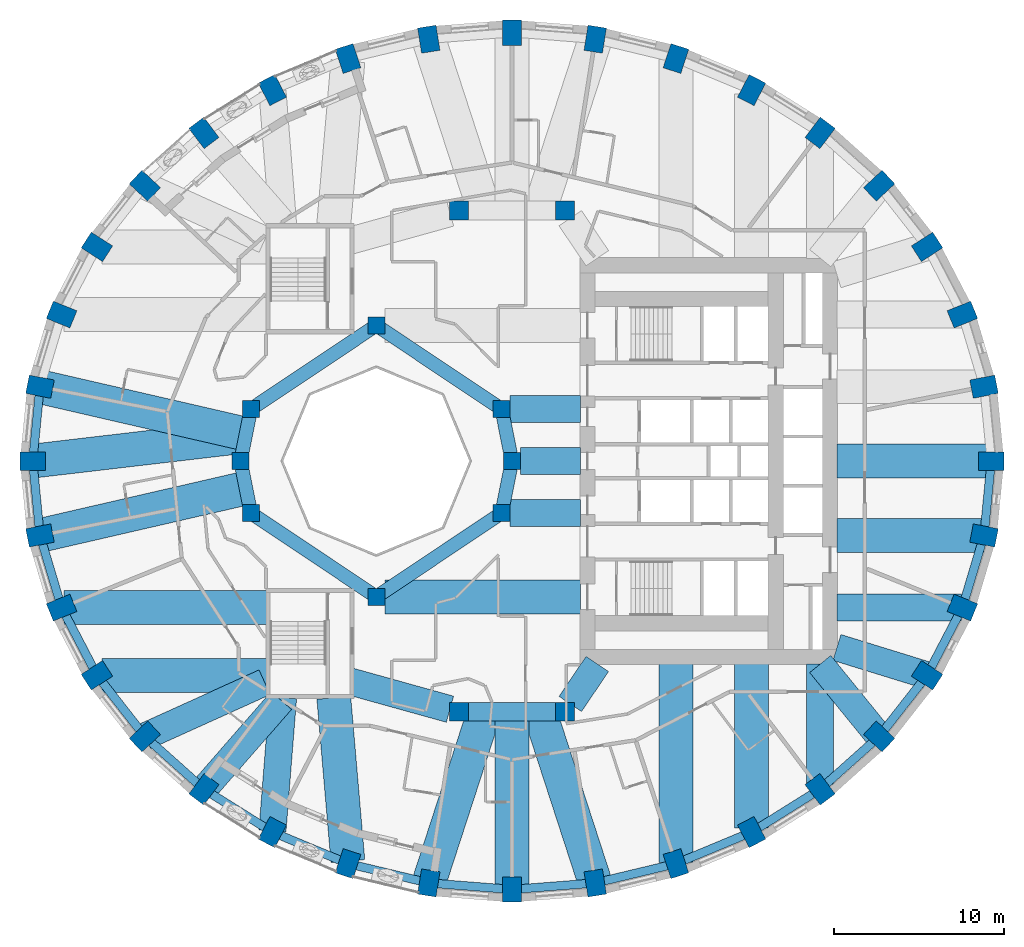
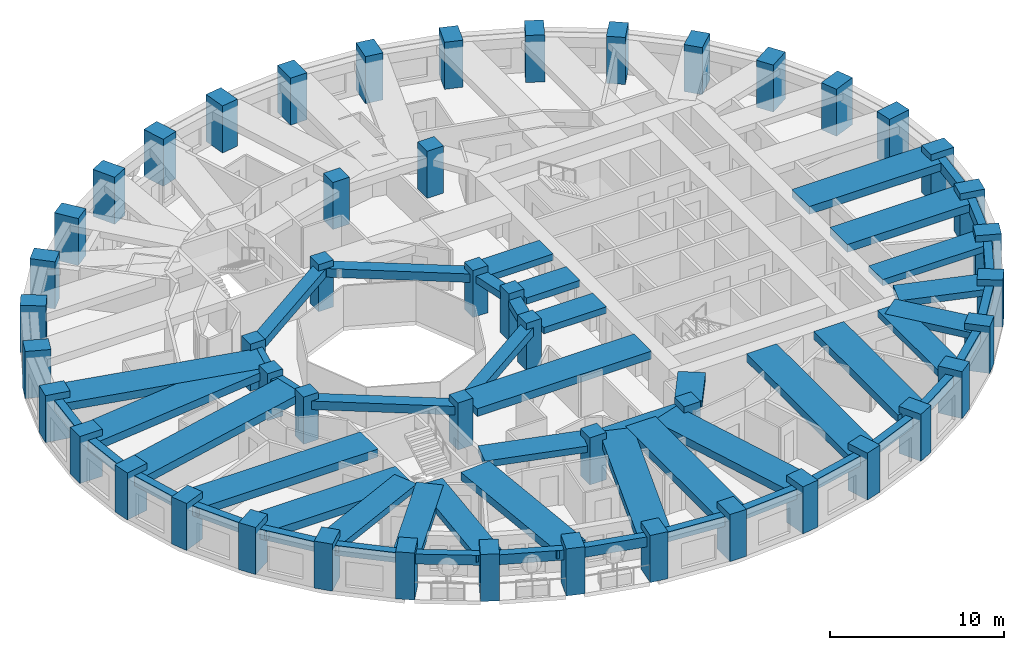
# One storey, part 1 of 13: 54 beams, 48 columns.
"""IFC4 building model written with IfcOpenShell, lengths in metres."""

from ifc_helpers import new_model, si_unit, direction, frame, origin, origin_2d, place, context, subcontext, project, spatial, rectangle, extrude, material, material_profile, profile_set, type_object, element, save


model = new_model("IFC4")

# Units and contexts
model_context = context("Model", 3, precision=1e-05, world=origin(), true_north=direction((0.0, 1.0)))
body_context = subcontext(model_context, "Body", "Model", "MODEL_VIEW")
ifc_project = project(units=[si_unit("LENGTHUNIT", "METRE"), si_unit("AREAUNIT", "SQUARE_METRE"), si_unit("VOLUMEUNIT", "CUBIC_METRE"), si_unit("PLANEANGLEUNIT", "RADIAN"), si_unit("MASSUNIT", "GRAM", prefix="KILO")], contexts=[model_context])

# Site, building, storey
site_placement = place(None, origin())
site = spatial("IfcSite", under=ifc_project, at=site_placement, CompositionType="ELEMENT")
building_placement = place(site_placement, origin())
building = spatial("IfcBuilding", under=site, at=building_placement, Name="Taillehof Tower", CompositionType="ELEMENT")
storey_placement = place(building_placement, frame((0.0, 0.0, 81.10009765625)))
storey = spatial("IfcBuildingStorey", under=building, at=storey_placement, Name="L22", CompositionType="ELEMENT", Elevation=81.10009765625)

# Columns
ifc_material_1 = material(Name="Concrete C50/60", Category="concrete")
ifc_material_profile_1 = material_profile(ifc_material_1, rectangle(XDim=1.0, YDim=1.0, at=origin_2d()), Name="RC 1000x1000")
ifc_profile_set_1 = profile_set([ifc_material_profile_1], Name="Concrete C50/60")
column_type_1 = type_object("IfcColumnType", Name="Atrium ring column C50/60 1000x1000", PredefinedType="COLUMN", material=ifc_profile_set_1)
for number, where, z_axis, x_axis, name in (
    (1, (0.0, 0.0, 0.0), (0.0, 0.0, 1.0), (1.0, 0.0, 0.0), "Column AC01"),
    (2, (-0.60888671875, 3.0615234375, 0.0), (0.0, 0.0, 1.0), (1.0, 0.0, 0.0), "Column AC02"),
    (3, (-8.0, 8.0, 0.0), (0.0, 0.0, 1.0), (1.0, 0.0, 0.0), "Column AC05"),
    (4, (-15.39111328125, 3.0615234375, 0.0), (0.0, 0.0, 1.0), (1.0, 0.0, 0.0), "Column AC08"),
    (5, (-16.0, 0.0, 0.0), (0.0, 0.0, 1.0), (1.0, 0.0, 0.0), "Column AC09"),
    (6, (-15.39111328125, -3.0615234375, 0.0), (0.0, 0.0, 1.0), (1.0, 0.0, 0.0), "Column AC10"),
    (7, (-8.0, -8.0, 0.0), (0.0, 0.0, 1.0), (1.0, 0.0, 0.0), "Column AC13"),
    (8, (-0.60888671875, -3.0615234375, 0.0), (0.0, 0.0, 1.0), (1.0, 0.0, 0.0), "Column AC16"),
):
    element("IfcColumn", number, at=place(storey_placement, frame(where, z_axis=z_axis, x_axis=x_axis)), inside=storey, type_object=column_type_1, Name=name, PredefinedType="COLUMN", context=body_context, shape_type="SweptSolid", body=[
        extrude(rectangle(XDim=1.0, YDim=1.0, at=origin_2d()), origin(), (0.0, 0.0, 1.0), 3.2998046875),
    ])
ifc_material_2 = material(Name="Concrete C50/60", Category="concrete")
ifc_material_profile_2 = material_profile(ifc_material_2, rectangle(XDim=1.10009765625, YDim=1.10009765625, at=origin_2d()), Name="RC 1100x1100")
ifc_profile_set_2 = profile_set([ifc_material_profile_2], Name="Concrete C50/60")
column_type_2 = type_object("IfcColumnType", Name="Mid-ring column C50/60 1100x1100", PredefinedType="COLUMN", material=ifc_profile_set_2)
for number, where, z_axis, x_axis, name in (
    (9, (3.125732421875, 14.772216796875, 0.0), (0.0, 0.0, 1.0), (1.0, 0.0, 0.0), "Column MC05"),
    (10, (3.125732421875, -14.772216796875, 0.0), (0.0, 0.0, 1.0), (1.0, 0.0, 0.0), "Column MC15"),
):
    element("IfcColumn", number, at=place(storey_placement, frame(where, z_axis=z_axis, x_axis=x_axis)), inside=storey, type_object=column_type_2, Name=name, PredefinedType="COLUMN", context=body_context, shape_type="SweptSolid", body=[
        extrude(rectangle(XDim=1.10009765625, YDim=1.10009765625, at=origin_2d()), origin(), (0.0, 0.0, 1.0), 3.2998046875),
    ])
ifc_material_3 = material(Name="Concrete C60/75", Category="concrete")
ifc_material_profile_3 = material_profile(ifc_material_3, rectangle(XDim=1.10009765625, YDim=1.10009765625, at=origin_2d()), Name="RC 1100x1100")
ifc_profile_set_3 = profile_set([ifc_material_profile_3], Name="Concrete C60/75")
column_type_3 = type_object("IfcColumnType", Name="Mid-ring column C60/75 1100x1100", PredefinedType="COLUMN", material=ifc_profile_set_3)
for number, where, z_axis, x_axis, name in (
    (11, (-3.125732421875, 14.772216796875, 0.0), (0.0, 0.0, 1.0), (1.0, 0.0, 0.0), "Column MC06"),
    (12, (-3.125732421875, -14.772216796875, 0.0), (0.0, 0.0, 1.0), (1.0, 0.0, 0.0), "Column MC14"),
):
    element("IfcColumn", number, at=place(storey_placement, frame(where, z_axis=z_axis, x_axis=x_axis)), inside=storey, type_object=column_type_3, Name=name, PredefinedType="COLUMN", context=body_context, shape_type="SweptSolid", body=[
        extrude(rectangle(XDim=1.10009765625, YDim=1.10009765625, at=origin_2d()), origin(), (0.0, 0.0, 1.0), 3.2998046875),
    ])
ifc_material_4 = material(Name="Concrete C70/85", Category="concrete")
ifc_material_profile_4 = material_profile(ifc_material_4, rectangle(XDim=1.5, YDim=1.10009765625, at=origin_2d()), Name="RC 1500x1100")
ifc_profile_set_4 = profile_set([ifc_material_profile_4], Name="Concrete C70/85")
column_type_4 = type_object("IfcColumnType", Name="Ring column C70/85 1500x1100", PredefinedType="COLUMN", material=ifc_profile_set_4)
for number, where, z_axis, x_axis, name in (
    (13, (28.25, 0.0, 0.0), (0.0, 0.0, 1.0), (1.0, 0.0, 0.0), "Ring column RC01"),
    (14, (27.82080078125, 4.384521484375, 0.0), (0.0, 0.0, 1.0), (0.98120354895, 0.192975634545, 0.0), "Ring column RC02"),
    (15, (26.54638671875, 8.635986328125, 0.0), (0.0, 0.0, 1.0), (0.926558045297, 0.37615181602, 0.0), "Ring column RC03"),
    (16, (24.46533203125, 12.625, 0.0), (0.0, 0.0, 1.0), (0.840753565229, 0.541417992456, 0.0), "Ring column RC04"),
    (17, (21.640869140625, 16.23046875, 0.0), (0.0, 0.0, 1.0), (0.730113022917, 0.683326403535, 0.0), "Ring column RC05"),
    (18, (18.15869140625, 19.342529296875, 0.0), (0.0, 0.0, 1.0), (0.601173783055, 0.79911831575, 0.0), "Ring column RC06"),
    (19, (14.125, 21.8671875, 0.0), (0.0, 0.0, 1.0), (0.459691308511, 0.888078769524, 0.0), "Ring column RC07"),
    (20, (9.662109375, 23.727294921875, 0.0), (0.0, 0.0, 1.0), (0.310219183529, 0.950665060981, 0.0), "Ring column RC08"),
    (21, (4.905517578125, 24.866455078125, 0.0), (0.0, 0.0, 1.0), (0.15614709407, 0.987733812833, 0.0), "Ring column RC09"),
    (22, (0.0, 25.25, 0.0), (0.0, 0.0, 1.0), (0.0, 1.0, 0.0), "Ring column RC10"),
    (23, (-4.905517578125, 24.866455078125, 0.0), (0.0, 0.0, 1.0), (-0.15614709407, 0.987733812833, 0.0), "Ring column RC11"),
    (24, (-9.662109375, 23.727294921875, 0.0), (0.0, 0.0, 1.0), (-0.310219183529, 0.950665060981, 0.0), "Ring column RC12"),
    (25, (-14.125, 21.8671875, 0.0), (0.0, 0.0, 1.0), (-0.459691308511, 0.888078769524, 0.0), "Ring column RC13"),
    (26, (-18.15869140625, 19.342529296875, 0.0), (0.0, 0.0, 1.0), (-0.601173783055, 0.79911831575, 0.0), "Ring column RC14"),
    (27, (-21.640869140625, 16.23046875, 0.0), (0.0, 0.0, 1.0), (-0.730113022917, 0.683326403535, 0.0), "Ring column RC15"),
    (28, (-24.46533203125, 12.625, 0.0), (0.0, 0.0, 1.0), (-0.840753565229, 0.541417992456, 0.0), "Ring column RC16"),
    (29, (-26.54638671875, 8.635986328125, 0.0), (0.0, 0.0, 1.0), (-0.926558045297, 0.37615181602, 0.0), "Ring column RC17"),
    (30, (-27.82080078125, 4.384521484375, 0.0), (0.0, 0.0, 1.0), (-0.98120354895, 0.192975634545, 0.0), "Ring column RC18"),
    (31, (-28.25, 0.0, 0.0), (0.0, 0.0, 1.0), (-1.0, 0.0, 0.0), "Ring column RC19"),
    (32, (-27.82080078125, -4.384521484375, 0.0), (0.0, 0.0, 1.0), (-0.98120354895, -0.192975634545, 0.0), "Ring column RC20"),
    (33, (-26.54638671875, -8.635986328125, 0.0), (0.0, 0.0, 1.0), (-0.926558045297, -0.37615181602, 0.0), "Ring column RC21"),
    (34, (-24.46533203125, -12.625, 0.0), (0.0, 0.0, 1.0), (-0.840753565229, -0.541417992456, 0.0), "Ring column RC22"),
    (35, (-21.640869140625, -16.23046875, 0.0), (0.0, 0.0, 1.0), (-0.730113022917, -0.683326403535, 0.0), "Ring column RC23"),
    (36, (-18.15869140625, -19.342529296875, 0.0), (0.0, 0.0, 1.0), (-0.601173783055, -0.79911831575, 0.0), "Ring column RC24"),
    (37, (-14.125, -21.8671875, 0.0), (0.0, 0.0, 1.0), (-0.459691308511, -0.888078769524, 0.0), "Ring column RC25"),
    (38, (-9.662109375, -23.727294921875, 0.0), (0.0, 0.0, 1.0), (-0.310219183529, -0.950665060981, 0.0), "Ring column RC26"),
    (39, (-4.905517578125, -24.866455078125, 0.0), (0.0, 0.0, 1.0), (-0.15614709407, -0.987733812833, 0.0), "Ring column RC27"),
    (40, (0.0, -25.25, 0.0), (0.0, 0.0, 1.0), (0.0, -1.0, 0.0), "Ring column RC28"),
    (41, (4.905517578125, -24.866455078125, 0.0), (0.0, 0.0, 1.0), (0.15614709407, -0.987733812833, 0.0), "Ring column RC29"),
    (42, (9.662109375, -23.727294921875, 0.0), (0.0, 0.0, 1.0), (0.310219183529, -0.950665060981, 0.0), "Ring column RC30"),
    (43, (14.125, -21.8671875, 0.0), (0.0, 0.0, 1.0), (0.459691308511, -0.888078769524, 0.0), "Ring column RC31"),
    (44, (18.15869140625, -19.342529296875, 0.0), (0.0, 0.0, 1.0), (0.601173783055, -0.79911831575, 0.0), "Ring column RC32"),
    (45, (21.640869140625, -16.23046875, 0.0), (0.0, 0.0, 1.0), (0.730113022917, -0.683326403535, 0.0), "Ring column RC33"),
    (46, (24.46533203125, -12.625, 0.0), (0.0, 0.0, 1.0), (0.840753565229, -0.541417992456, 0.0), "Ring column RC34"),
    (47, (26.54638671875, -8.635986328125, 0.0), (0.0, 0.0, 1.0), (0.926558045297, -0.37615181602, 0.0), "Ring column RC35"),
    (48, (27.82080078125, -4.384521484375, 0.0), (0.0, 0.0, 1.0), (0.98120354895, -0.192975634545, 0.0), "Ring column RC36"),
):
    element("IfcColumn", number, at=place(storey_placement, frame(where, z_axis=z_axis, x_axis=x_axis)), inside=storey, type_object=column_type_4, Name=name, PredefinedType="COLUMN", context=body_context, shape_type="SweptSolid", body=[
        extrude(rectangle(XDim=1.5, YDim=1.10009765625, at=origin_2d()), origin(), (0.0, 0.0, 1.0), 3.2998046875),
    ])

# Beams
ifc_material_5 = material(Name="Concrete C50/60", Category="concrete")
ifc_material_profile_5 = material_profile(ifc_material_5, rectangle(XDim=0.800048828125, YDim=0.5, at=origin_2d()), Name="RC 800x500")
ifc_profile_set_5 = profile_set([ifc_material_profile_5], Name="Concrete C50/60")
beam_type_1 = type_object("IfcBeamType", Name="Atrium ring beam C50/60 800x500", PredefinedType="BEAM", material=ifc_profile_set_5)
for number, where, z_axis, x_axis, name in (
    (49, (0.0, 0.0, 2.599853515625), (-0.195063155143, 0.980790683839, 0.0), (-0.980790683839, -0.195063155143, 0.0), "Atrium ring beam AB01"),
    (50, (-15.39111328125, 3.0615234375, 2.599853515625), (-0.195063155143, -0.980790683839, 0.0), (0.980790683839, -0.195063155143, 0.0), "Atrium ring beam AB04"),
    (51, (-16.0, 0.0, 2.599853515625), (0.195063155143, -0.980790683839, 0.0), (0.980790683839, 0.195063155143, 0.0), "Atrium ring beam AB05"),
    (52, (-0.60888671875, -3.0615234375, 2.599853515625), (0.195063155143, 0.980790683839, 0.0), (-0.980790683839, 0.195063155143, 0.0), "Atrium ring beam AB08"),
):
    element("IfcBeam", number, at=place(storey_placement, frame(where, z_axis=z_axis, x_axis=x_axis)), inside=storey, type_object=beam_type_1, Name=name, PredefinedType="BEAM", context=body_context, shape_type="SweptSolid", body=[
        extrude(rectangle(XDim=0.800048828125, YDim=0.5, at=origin_2d()), origin(), (0.0, 0.0, 1.0), 3.12158203125),
    ])
ifc_material_6 = material(Name="Concrete C50/60", Category="concrete")
ifc_material_profile_6 = material_profile(ifc_material_6, rectangle(XDim=0.800048828125, YDim=0.60009765625, at=origin_2d()), Name="RC 800x600")
ifc_profile_set_6 = profile_set([ifc_material_profile_6], Name="Concrete C50/60")
beam_type_2 = type_object("IfcBeamType", Name="Atrium ring beam C50/60 800x600", PredefinedType="BEAM", material=ifc_profile_set_6)
for number, where, z_axis, x_axis, name in (
    (53, (-0.60888671875, 3.0615234375, 2.5498046875), (-0.831475195687, 0.555561876804, 0.0), (-0.555561876804, -0.831475195687, 0.0), "Atrium ring beam AB02"),
    (54, (-8.0, 8.0, 2.5498046875), (-0.831475195687, -0.555561876804, 0.0), (0.555561876804, -0.831475195687, 0.0), "Atrium ring beam AB03"),
    (55, (-15.39111328125, -3.0615234375, 2.5498046875), (0.831475195687, -0.555561876804, 0.0), (0.555561876804, 0.831475195687, 0.0), "Atrium ring beam AB06"),
    (56, (-8.0, -8.0, 2.5498046875), (0.831475195687, 0.555561876804, 0.0), (-0.555561876804, 0.831475195687, 0.0), "Atrium ring beam AB07"),
):
    element("IfcBeam", number, at=place(storey_placement, frame(where, z_axis=z_axis, x_axis=x_axis)), inside=storey, type_object=beam_type_2, Name=name, PredefinedType="BEAM", context=body_context, shape_type="SweptSolid", body=[
        extrude(rectangle(XDim=0.800048828125, YDim=0.60009765625, at=origin_2d()), origin(), (0.0, 0.0, 1.0), 8.88916015625),
    ])
ifc_material_7 = material(Name="Concrete C50/60", Category="concrete")
ifc_material_profile_7 = material_profile(ifc_material_7, rectangle(XDim=1.10009765625, YDim=0.60009765625, at=origin_2d()), Name="RC 1100x600")
ifc_profile_set_7 = profile_set([ifc_material_profile_7], Name="Concrete C50/60")
beam_type_3 = type_object("IfcBeamType", Name="Mid-ring beam C50/60 1100x600", PredefinedType="BEAM", material=ifc_profile_set_7)
beam_1_placement = place(storey_placement, frame((-3.125732421875, -14.772216796875, 2.5498046875), z_axis=(1.0, 0.0, 0.0), x_axis=(0.0, 1.0, 0.0)))
element("IfcBeam", 57, at=beam_1_placement, inside=storey, type_object=beam_type_3, Name="Mid-ring beam MB02", PredefinedType="BEAM", context=body_context, shape_type="SweptSolid", body=[
    extrude(rectangle(XDim=1.10009765625, YDim=0.60009765625, at=origin_2d()), origin(), (0.0, 0.0, 1.0), 6.25146484375),
])
ifc_material_8 = material(Name="Concrete C50/60", Category="concrete")
ifc_material_profile_8 = material_profile(ifc_material_8, rectangle(XDim=1.60009765625, YDim=0.449951171875, at=origin_2d()), Name="RC 1600x450")
ifc_profile_set_8 = profile_set([ifc_material_profile_8], Name="Concrete C50/60")
beam_type_4 = type_object("IfcBeamType", Name="Radial band beam C50/60 1600x450", PredefinedType="BEAM", material=ifc_profile_set_8)
beam_2_placement = place(storey_placement, frame((-21.632568359375, -16.226806640625, 2.625), z_axis=(0.911100590789, 0.412184077161, 0.0), x_axis=(-0.412184077161, 0.911100590789, 0.0)))
element("IfcBeam", 58, at=beam_2_placement, inside=storey, type_object=beam_type_4, Name="Radial band beam RB23", PredefinedType="BEAM", context=body_context, shape_type="SweptSolid", body=[
    extrude(rectangle(XDim=1.60009765625, YDim=0.449951171875, at=origin_2d()), origin(), (0.0, 0.0, 1.0), 7.740966796875),
])
beam_3_placement = place(storey_placement, frame((-18.15869140625, -19.342529296875, 2.625), z_axis=(0.65721824087, 0.753700327628, 0.0), x_axis=(-0.753700327628, 0.65721824087, 0.0)))
element("IfcBeam", 59, at=beam_3_placement, inside=storey, type_object=beam_type_4, Name="Radial band beam RB24", PredefinedType="BEAM", context=body_context, shape_type="SweptSolid", body=[
    extrude(rectangle(XDim=1.60009765625, YDim=0.449951171875, at=origin_2d()), origin(), (0.0, 0.0, 1.0), 6.9384765625),
])
beam_4_placement = place(storey_placement, frame((-14.119873046875, -21.802978515625, 2.625), z_axis=(0.079184740988, 0.996859958467, 0.0), x_axis=(-0.996859958467, 0.079184740988, 0.0)))
element("IfcBeam", 60, at=beam_4_placement, inside=storey, type_object=beam_type_4, Name="Radial band beam RB25", PredefinedType="BEAM", context=body_context, shape_type="SweptSolid", body=[
    extrude(rectangle(XDim=1.60009765625, YDim=0.449951171875, at=origin_2d()), origin(), (0.0, 0.0, 1.0), 7.87744140625),
])
beam_5_placement = place(storey_placement, frame((18.15869140625, -19.05517578125, 2.625), z_axis=(0.0, 1.0, 0.0), x_axis=(-1.0, 0.0, 0.0)))
element("IfcBeam", 61, at=beam_5_placement, inside=storey, type_object=beam_type_4, Name="Radial band beam RB32", PredefinedType="BEAM", context=body_context, shape_type="SweptSolid", body=[
    extrude(rectangle(XDim=1.60009765625, YDim=0.449951171875, at=origin_2d()), origin(), (0.0, 0.0, 1.0), 7.105224609375),
])
beam_6_placement = place(storey_placement, frame((21.640869140625, -16.23046875, 2.625), z_axis=(-0.630988373846, 0.775792286679, 0.0), x_axis=(-0.775792286679, -0.630988373846, 0.0)))
element("IfcBeam", 62, at=beam_6_placement, inside=storey, type_object=beam_type_4, Name="Radial band beam RB33", PredefinedType="BEAM", context=body_context, shape_type="SweptSolid", body=[
    extrude(rectangle(XDim=1.60009765625, YDim=0.449951171875, at=origin_2d()), origin(), (0.0, 0.0, 1.0), 5.503173828125),
])
beam_7_placement = place(storey_placement, frame((24.46533203125, -12.625, 2.625), z_axis=(-0.955535654338, 0.294875589511, 0.0), x_axis=(-0.294875589511, -0.955535654338, 0.0)))
element("IfcBeam", 63, at=beam_7_placement, inside=storey, type_object=beam_type_4, Name="Radial band beam RB34", PredefinedType="BEAM", context=body_context, shape_type="SweptSolid", body=[
    extrude(rectangle(XDim=1.60009765625, YDim=0.449951171875, at=origin_2d()), origin(), (0.0, 0.0, 1.0), 5.560546875),
])
beam_8_placement = place(storey_placement, frame((26.490478515625, -8.635986328125, 2.625), z_axis=(-1.0, 0.0, 0.0), x_axis=(0.0, -1.0, 0.0)))
element("IfcBeam", 64, at=beam_8_placement, inside=storey, type_object=beam_type_4, Name="Radial band beam RB35", PredefinedType="BEAM", context=body_context, shape_type="SweptSolid", body=[
    extrude(rectangle(XDim=1.60009765625, YDim=0.449951171875, at=origin_2d()), origin(), (0.0, 0.0, 1.0), 7.340576171875),
])
beam_9_placement = place(storey_placement, frame((0.5, 0.0, 2.625), z_axis=(1.0, 0.0, 0.0), x_axis=(0.0, 1.0, 0.0)))
element("IfcBeam", 65, at=beam_9_placement, inside=storey, type_object=beam_type_4, Name="Inner band beam IB101", PredefinedType="BEAM", context=body_context, shape_type="SweptSolid", body=[
    extrude(rectangle(XDim=1.60009765625, YDim=0.449951171875, at=origin_2d()), origin(), (0.0, 0.0, 1.0), 3.550048828125),
])
for number, where, z_axis, x_axis, name in (
    (66, (-0.10888671875, 3.0615234375, 2.625), (1.0, 0.0, 0.0), (0.0, 1.0, 0.0), "Inner band beam IB102"),
    (67, (-0.10888671875, -3.0615234375, 2.625), (1.0, 0.0, 0.0), (0.0, 1.0, 0.0), "Inner band beam IB116"),
):
    element("IfcBeam", number, at=place(storey_placement, frame(where, z_axis=z_axis, x_axis=x_axis)), inside=storey, type_object=beam_type_4, Name=name, PredefinedType="BEAM", context=body_context, shape_type="SweptSolid", body=[
        extrude(rectangle(XDim=1.60009765625, YDim=0.449951171875, at=origin_2d()), origin(), (0.0, 0.0, 1.0), 4.158935546875),
    ])
beam_10_placement = place(storey_placement, frame((-3.655517578125, -14.624755859375, 2.625), z_axis=(-0.963459369536, 0.267854518821, 0.0), x_axis=(-0.267854518821, -0.963459369536, 0.0)))
element("IfcBeam", 68, at=beam_10_placement, inside=storey, type_object=beam_type_4, Name="Inner band beam IB214", PredefinedType="BEAM", context=body_context, shape_type="SweptSolid", body=[
    extrude(rectangle(XDim=1.60009765625, YDim=0.449951171875, at=origin_2d()), origin(), (0.0, 0.0, 1.0), 6.096923828125),
])
beam_11_placement = place(storey_placement, frame((3.433837890625, -14.31640625, 2.625), z_axis=(0.560112043398, 0.828416862962, 0.0), x_axis=(-0.828416862962, 0.560112043398, 0.0)))
element("IfcBeam", 69, at=beam_11_placement, inside=storey, type_object=beam_type_4, Name="Inner band beam IB215", PredefinedType="BEAM", context=body_context, shape_type="SweptSolid", body=[
    extrude(rectangle(XDim=1.60009765625, YDim=0.449951171875, at=origin_2d()), origin(), (0.0, 0.0, 1.0), 2.84619140625),
])
ifc_material_9 = material(Name="Concrete C50/60", Category="concrete")
ifc_material_profile_9 = material_profile(ifc_material_9, rectangle(XDim=2.0, YDim=0.550048828125, at=origin_2d()), Name="RC 2000x550")
ifc_profile_set_9 = profile_set([ifc_material_profile_9], Name="Concrete C50/60")
beam_type_5 = type_object("IfcBeamType", Name="Radial band beam C50/60 2000x550", PredefinedType="BEAM", material=ifc_profile_set_9)
beam_12_placement = place(storey_placement, frame((28.25, 0.0, 2.574951171875), z_axis=(-1.0, 0.0, 0.0), x_axis=(0.0, -1.0, 0.0)))
element("IfcBeam", 70, at=beam_12_placement, inside=storey, type_object=beam_type_5, Name="Radial band beam RB01", PredefinedType="BEAM", context=body_context, shape_type="SweptSolid", body=[
    extrude(rectangle(XDim=2.0, YDim=0.550048828125, at=origin_2d()), origin(), (0.0, 0.0, 1.0), 9.10009765625),
])
beam_13_placement = place(storey_placement, frame((-27.82080078125, 4.384521484375, 2.574951171875), z_axis=(0.974509005862, -0.2243483842, 0.0), x_axis=(0.2243483842, 0.974509005862, 0.0)))
element("IfcBeam", 71, at=beam_13_placement, inside=storey, type_object=beam_type_5, Name="Radial band beam RB18", PredefinedType="BEAM", context=body_context, shape_type="SweptSolid", body=[
    extrude(rectangle(XDim=2.0, YDim=0.550048828125, at=origin_2d()), origin(), (0.0, 0.0, 1.0), 12.45458984375),
])
beam_14_placement = place(storey_placement, frame((-28.25, 0.0, 2.574951171875), z_axis=(0.993191188018, 0.11649576835, 0.0), x_axis=(-0.11649576835, 0.993191188018, 0.0)))
element("IfcBeam", 72, at=beam_14_placement, inside=storey, type_object=beam_type_5, Name="Radial band beam RB19", PredefinedType="BEAM", context=body_context, shape_type="SweptSolid", body=[
    extrude(rectangle(XDim=2.0, YDim=0.550048828125, at=origin_2d()), origin(), (0.0, 0.0, 1.0), 12.628662109375),
])
beam_15_placement = place(storey_placement, frame((-27.82080078125, -4.384521484375, 2.574951171875), z_axis=(0.974509005862, 0.2243483842, 0.0), x_axis=(-0.2243483842, 0.974509005862, 0.0)))
element("IfcBeam", 73, at=beam_15_placement, inside=storey, type_object=beam_type_5, Name="Radial band beam RB20", PredefinedType="BEAM", context=body_context, shape_type="SweptSolid", body=[
    extrude(rectangle(XDim=2.0, YDim=0.550048828125, at=origin_2d()), origin(), (0.0, 0.0, 1.0), 12.45458984375),
])
beam_16_placement = place(storey_placement, frame((-26.408935546875, -8.635986328125, 2.574951171875), z_axis=(1.0, 0.0, 0.0), x_axis=(0.0, 1.0, 0.0)))
element("IfcBeam", 74, at=beam_16_placement, inside=storey, type_object=beam_type_5, Name="Radial band beam RB21", PredefinedType="BEAM", context=body_context, shape_type="SweptSolid", body=[
    extrude(rectangle(XDim=2.0, YDim=0.550048828125, at=origin_2d()), origin(), (0.0, 0.0, 1.0), 11.958984375),
])
beam_17_placement = place(storey_placement, frame((-24.172607421875, -12.625, 2.574951171875), z_axis=(1.0, 0.0, 0.0), x_axis=(0.0, 1.0, 0.0)))
element("IfcBeam", 75, at=beam_17_placement, inside=storey, type_object=beam_type_5, Name="Radial band beam RB22", PredefinedType="BEAM", context=body_context, shape_type="SweptSolid", body=[
    extrude(rectangle(XDim=2.0, YDim=0.550048828125, at=origin_2d()), origin(), (0.0, 0.0, 1.0), 9.72265625),
])
beam_18_placement = place(storey_placement, frame((-9.675048828125, -23.575927734375, 2.574951171875), z_axis=(-0.085841202752, 0.996308831593, 0.0), x_axis=(-0.996308831593, -0.085841202752, 0.0)))
element("IfcBeam", 76, at=beam_18_placement, inside=storey, type_object=beam_type_5, Name="Radial band beam RB26", PredefinedType="BEAM", context=body_context, shape_type="SweptSolid", body=[
    extrude(rectangle(XDim=2.0, YDim=0.550048828125, at=origin_2d()), origin(), (0.0, 0.0, 1.0), 9.661376953125),
])
beam_19_placement = place(storey_placement, frame((-4.905517578125, -24.866455078125, 2.574951171875), z_axis=(0.309014294595, 0.951057393503, 0.0), x_axis=(-0.951057393503, 0.309014294595, 0.0)))
element("IfcBeam", 77, at=beam_19_placement, inside=storey, type_object=beam_type_5, Name="Radial band beam RB27", PredefinedType="BEAM", context=body_context, shape_type="SweptSolid", body=[
    extrude(rectangle(XDim=2.0, YDim=0.550048828125, at=origin_2d()), origin(), (0.0, 0.0, 1.0), 10.61376953125),
])
beam_20_placement = place(storey_placement, frame((0.0, -25.25, 2.574951171875), z_axis=(0.0, 1.0, 0.0), x_axis=(-1.0, 0.0, 0.0)))
element("IfcBeam", 78, at=beam_20_placement, inside=storey, type_object=beam_type_5, Name="Radial band beam RB28", PredefinedType="BEAM", context=body_context, shape_type="SweptSolid", body=[
    extrude(rectangle(XDim=2.0, YDim=0.550048828125, at=origin_2d()), origin(), (0.0, 0.0, 1.0), 10.477783203125),
])
beam_21_placement = place(storey_placement, frame((4.905517578125, -24.866455078125, 2.574951171875), z_axis=(-0.309014294595, 0.951057393503, 0.0), x_axis=(-0.951057393503, -0.309014294595, 0.0)))
element("IfcBeam", 79, at=beam_21_placement, inside=storey, type_object=beam_type_5, Name="Radial band beam RB29", PredefinedType="BEAM", context=body_context, shape_type="SweptSolid", body=[
    extrude(rectangle(XDim=2.0, YDim=0.550048828125, at=origin_2d()), origin(), (0.0, 0.0, 1.0), 10.61376953125),
])
beam_22_placement = place(storey_placement, frame((9.662109375, -23.664794921875, 2.574951171875), z_axis=(0.0, 1.0, 0.0), x_axis=(-1.0, 0.0, 0.0)))
element("IfcBeam", 80, at=beam_22_placement, inside=storey, type_object=beam_type_5, Name="Radial band beam RB30", PredefinedType="BEAM", context=body_context, shape_type="SweptSolid", body=[
    extrude(rectangle(XDim=2.0, YDim=0.550048828125, at=origin_2d()), origin(), (0.0, 0.0, 1.0), 11.71484375),
])
beam_23_placement = place(storey_placement, frame((14.125, -21.63232421875, 2.574951171875), z_axis=(0.0, 1.0, 0.0), x_axis=(-1.0, 0.0, 0.0)))
element("IfcBeam", 81, at=beam_23_placement, inside=storey, type_object=beam_type_5, Name="Radial band beam RB31", PredefinedType="BEAM", context=body_context, shape_type="SweptSolid", body=[
    extrude(rectangle(XDim=2.0, YDim=0.550048828125, at=origin_2d()), origin(), (0.0, 0.0, 1.0), 9.682373046875),
])
beam_24_placement = place(storey_placement, frame((27.82080078125, -4.384521484375, 2.574951171875), z_axis=(-1.0, 0.0, 0.0), x_axis=(0.0, -1.0, 0.0)))
element("IfcBeam", 82, at=beam_24_placement, inside=storey, type_object=beam_type_5, Name="Radial band beam RB36", PredefinedType="BEAM", context=body_context, shape_type="SweptSolid", body=[
    extrude(rectangle(XDim=2.0, YDim=0.550048828125, at=origin_2d()), origin(), (0.0, 0.0, 1.0), 8.6708984375),
])
beam_25_placement = place(storey_placement, frame((-7.5, -8.0, 2.574951171875), z_axis=(1.0, 0.0, 0.0), x_axis=(0.0, 1.0, 0.0)))
element("IfcBeam", 83, at=beam_25_placement, inside=storey, type_object=beam_type_5, Name="Inner band beam IB113", PredefinedType="BEAM", context=body_context, shape_type="SweptSolid", body=[
    extrude(rectangle(XDim=2.0, YDim=0.550048828125, at=origin_2d()), origin(), (0.0, 0.0, 1.0), 11.550048828125),
])
ifc_material_10 = material(Name="Concrete C50/60", Category="concrete")
ifc_material_profile_10 = material_profile(ifc_material_10, rectangle(XDim=0.5, YDim=0.699951171875, at=origin_2d()), Name="RC 500x700")
ifc_profile_set_10 = profile_set([ifc_material_profile_10], Name="Concrete C50/60")
beam_type_6 = type_object("IfcBeamType", Name="Spandrel beam C50/60 500x700", PredefinedType="SPANDREL", material=ifc_profile_set_10)
for number, where, z_axis, x_axis, name in (
    (84, (-27.82080078125, 4.384521484375, 2.5), (-0.097423973567, -0.99524297002, 0.0), (0.99524297002, -0.097423973567, 0.0), "Spandrel beam SB18"),
    (85, (-28.25, 0.0, 2.5), (0.097423973567, -0.99524297002, 0.0), (0.99524297002, 0.097423973567, 0.0), "Spandrel beam SB19"),
):
    element("IfcBeam", number, at=place(storey_placement, frame(where, z_axis=z_axis, x_axis=x_axis)), inside=storey, type_object=beam_type_6, Name=name, PredefinedType="SPANDREL", context=body_context, shape_type="SweptSolid", body=[
        extrude(rectangle(XDim=0.5, YDim=0.699951171875, at=origin_2d()), origin(), (0.0, 0.0, 1.0), 4.405517578125),
    ])
beam_26_placement = place(storey_placement, frame((-27.82080078125, -4.384521484375, 2.5), z_axis=(0.287135925407, -0.957889847707, 0.0), x_axis=(0.957889847707, 0.287135925407, 0.0)))
element("IfcBeam", 86, at=beam_26_placement, inside=storey, type_object=beam_type_6, Name="Spandrel beam SB20", PredefinedType="SPANDREL", context=body_context, shape_type="SweptSolid", body=[
    extrude(rectangle(XDim=0.5, YDim=0.699951171875, at=origin_2d()), origin(), (0.0, 0.0, 1.0), 4.4384765625),
])
beam_27_placement = place(storey_placement, frame((-26.54638671875, -8.635986328125, 2.5), z_axis=(0.462536335232, -0.886600326297, 0.0), x_axis=(0.886600326297, 0.462536335232, 0.0)))
element("IfcBeam", 87, at=beam_27_placement, inside=storey, type_object=beam_type_6, Name="Spandrel beam SB21", PredefinedType="SPANDREL", context=body_context, shape_type="SweptSolid", body=[
    extrude(rectangle(XDim=0.5, YDim=0.699951171875, at=origin_2d()), origin(), (0.0, 0.0, 1.0), 4.499267578125),
])
beam_28_placement = place(storey_placement, frame((-24.46533203125, -12.625, 2.5), z_axis=(0.616686200373, -0.787209076593, 0.0), x_axis=(0.787209076593, 0.616686200373, 0.0)))
element("IfcBeam", 88, at=beam_28_placement, inside=storey, type_object=beam_type_6, Name="Spandrel beam SB22", PredefinedType="SPANDREL", context=body_context, shape_type="SweptSolid", body=[
    extrude(rectangle(XDim=0.5, YDim=0.699951171875, at=origin_2d()), origin(), (0.0, 0.0, 1.0), 4.580078125),
])
beam_29_placement = place(storey_placement, frame((-21.640869140625, -16.23046875, 2.5), z_axis=(0.745621283614, -0.666369943366, 0.0), x_axis=(0.666369943366, 0.745621283614, 0.0)))
element("IfcBeam", 89, at=beam_29_placement, inside=storey, type_object=beam_type_6, Name="Spandrel beam SB23", PredefinedType="SPANDREL", context=body_context, shape_type="SweptSolid", body=[
    extrude(rectangle(XDim=0.5, YDim=0.699951171875, at=origin_2d()), origin(), (0.0, 0.0, 1.0), 4.670166015625),
])
beam_30_placement = place(storey_placement, frame((-18.15869140625, -19.342529296875, 2.5), z_axis=(0.847658018883, -0.530543007703, 0.0), x_axis=(0.530543007703, 0.847658018883, 0.0)))
element("IfcBeam", 90, at=beam_30_placement, inside=storey, type_object=beam_type_6, Name="Spandrel beam SB24", PredefinedType="SPANDREL", context=body_context, shape_type="SweptSolid", body=[
    extrude(rectangle(XDim=0.5, YDim=0.699951171875, at=origin_2d()), origin(), (0.0, 0.0, 1.0), 4.758544921875),
])
beam_31_placement = place(storey_placement, frame((-14.125, -21.8671875, 2.5), z_axis=(0.923035088053, -0.384715773297, 0.0), x_axis=(0.384715773297, 0.923035088053, 0.0)))
element("IfcBeam", 91, at=beam_31_placement, inside=storey, type_object=beam_type_6, Name="Spandrel beam SB25", PredefinedType="SPANDREL", context=body_context, shape_type="SweptSolid", body=[
    extrude(rectangle(XDim=0.5, YDim=0.699951171875, at=origin_2d()), origin(), (0.0, 0.0, 1.0), 4.8349609375),
])
beam_32_placement = place(storey_placement, frame((-9.662109375, -23.727294921875, 2.5), z_axis=(0.9724995553, -0.232904733616, 0.0), x_axis=(0.232904733616, 0.9724995553, 0.0)))
element("IfcBeam", 92, at=beam_32_placement, inside=storey, type_object=beam_type_6, Name="Spandrel beam SB26", PredefinedType="SPANDREL", context=body_context, shape_type="SweptSolid", body=[
    extrude(rectangle(XDim=0.5, YDim=0.699951171875, at=origin_2d()), origin(), (0.0, 0.0, 1.0), 4.89111328125),
])
for number, where, z_axis, x_axis, name in (
    (93, (-4.905517578125, -24.866455078125, 2.5), (0.996957383661, -0.077948541767, 0.0), (0.077948541767, 0.996957383661, 0.0), "Spandrel beam SB27"),
    (94, (0.0, -25.25, 2.5), (0.996957383661, 0.077948541767, 0.0), (-0.077948541767, 0.996957383661, 0.0), "Spandrel beam SB28"),
):
    element("IfcBeam", number, at=place(storey_placement, frame(where, z_axis=z_axis, x_axis=x_axis)), inside=storey, type_object=beam_type_6, Name=name, PredefinedType="SPANDREL", context=body_context, shape_type="SweptSolid", body=[
        extrude(rectangle(XDim=0.5, YDim=0.699951171875, at=origin_2d()), origin(), (0.0, 0.0, 1.0), 4.92041015625),
    ])
beam_33_placement = place(storey_placement, frame((4.905517578125, -24.866455078125, 2.5), z_axis=(0.9724995553, 0.232904733616, 0.0), x_axis=(-0.232904733616, 0.9724995553, 0.0)))
element("IfcBeam", 95, at=beam_33_placement, inside=storey, type_object=beam_type_6, Name="Spandrel beam SB29", PredefinedType="SPANDREL", context=body_context, shape_type="SweptSolid", body=[
    extrude(rectangle(XDim=0.5, YDim=0.699951171875, at=origin_2d()), origin(), (0.0, 0.0, 1.0), 4.89111328125),
])
beam_34_placement = place(storey_placement, frame((9.662109375, -23.727294921875, 2.5), z_axis=(0.923035088053, 0.384715773297, 0.0), x_axis=(-0.384715773297, 0.923035088053, 0.0)))
element("IfcBeam", 96, at=beam_34_placement, inside=storey, type_object=beam_type_6, Name="Spandrel beam SB30", PredefinedType="SPANDREL", context=body_context, shape_type="SweptSolid", body=[
    extrude(rectangle(XDim=0.5, YDim=0.699951171875, at=origin_2d()), origin(), (0.0, 0.0, 1.0), 4.8349609375),
])
beam_35_placement = place(storey_placement, frame((14.125, -21.8671875, 2.5), z_axis=(0.847658018883, 0.530543007703, 0.0), x_axis=(-0.530543007703, 0.847658018883, 0.0)))
element("IfcBeam", 97, at=beam_35_placement, inside=storey, type_object=beam_type_6, Name="Spandrel beam SB31", PredefinedType="SPANDREL", context=body_context, shape_type="SweptSolid", body=[
    extrude(rectangle(XDim=0.5, YDim=0.699951171875, at=origin_2d()), origin(), (0.0, 0.0, 1.0), 4.758544921875),
])
beam_36_placement = place(storey_placement, frame((18.15869140625, -19.342529296875, 2.5), z_axis=(0.745621283614, 0.666369943366, 0.0), x_axis=(-0.666369943366, 0.745621283614, 0.0)))
element("IfcBeam", 98, at=beam_36_placement, inside=storey, type_object=beam_type_6, Name="Spandrel beam SB32", PredefinedType="SPANDREL", context=body_context, shape_type="SweptSolid", body=[
    extrude(rectangle(XDim=0.5, YDim=0.699951171875, at=origin_2d()), origin(), (0.0, 0.0, 1.0), 4.670166015625),
])
beam_37_placement = place(storey_placement, frame((21.640869140625, -16.23046875, 2.5), z_axis=(0.616686200373, 0.787209076593, 0.0), x_axis=(-0.787209076593, 0.616686200373, 0.0)))
element("IfcBeam", 99, at=beam_37_placement, inside=storey, type_object=beam_type_6, Name="Spandrel beam SB33", PredefinedType="SPANDREL", context=body_context, shape_type="SweptSolid", body=[
    extrude(rectangle(XDim=0.5, YDim=0.699951171875, at=origin_2d()), origin(), (0.0, 0.0, 1.0), 4.580078125),
])
beam_38_placement = place(storey_placement, frame((24.46533203125, -12.625, 2.5), z_axis=(0.462536335232, 0.886600326297, 0.0), x_axis=(-0.886600326297, 0.462536335232, 0.0)))
element("IfcBeam", 100, at=beam_38_placement, inside=storey, type_object=beam_type_6, Name="Spandrel beam SB34", PredefinedType="SPANDREL", context=body_context, shape_type="SweptSolid", body=[
    extrude(rectangle(XDim=0.5, YDim=0.699951171875, at=origin_2d()), origin(), (0.0, 0.0, 1.0), 4.499267578125),
])
beam_39_placement = place(storey_placement, frame((26.54638671875, -8.635986328125, 2.5), z_axis=(0.287135925407, 0.957889847707, 0.0), x_axis=(-0.957889847707, 0.287135925407, 0.0)))
element("IfcBeam", 101, at=beam_39_placement, inside=storey, type_object=beam_type_6, Name="Spandrel beam SB35", PredefinedType="SPANDREL", context=body_context, shape_type="SweptSolid", body=[
    extrude(rectangle(XDim=0.5, YDim=0.699951171875, at=origin_2d()), origin(), (0.0, 0.0, 1.0), 4.4384765625),
])
beam_40_placement = place(storey_placement, frame((27.82080078125, -4.384521484375, 2.5), z_axis=(0.097423973567, 0.99524297002, 0.0), x_axis=(-0.99524297002, 0.097423973567, 0.0)))
element("IfcBeam", 102, at=beam_40_placement, inside=storey, type_object=beam_type_6, Name="Spandrel beam SB36", PredefinedType="SPANDREL", context=body_context, shape_type="SweptSolid", body=[
    extrude(rectangle(XDim=0.5, YDim=0.699951171875, at=origin_2d()), origin(), (0.0, 0.0, 1.0), 4.405517578125),
])

save(model, "model.ifc")
